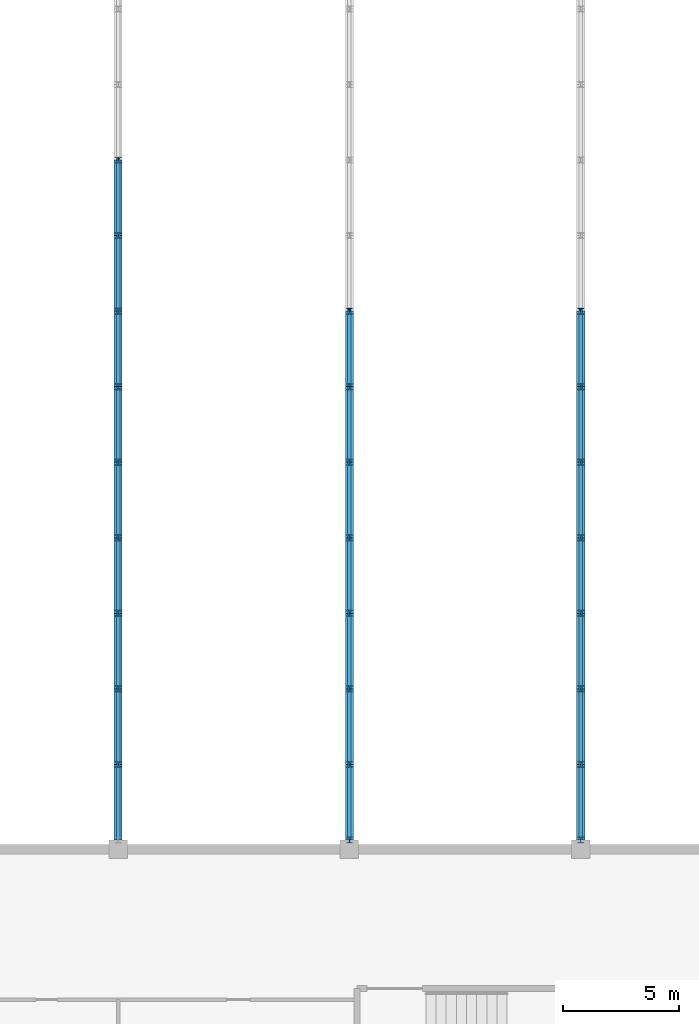
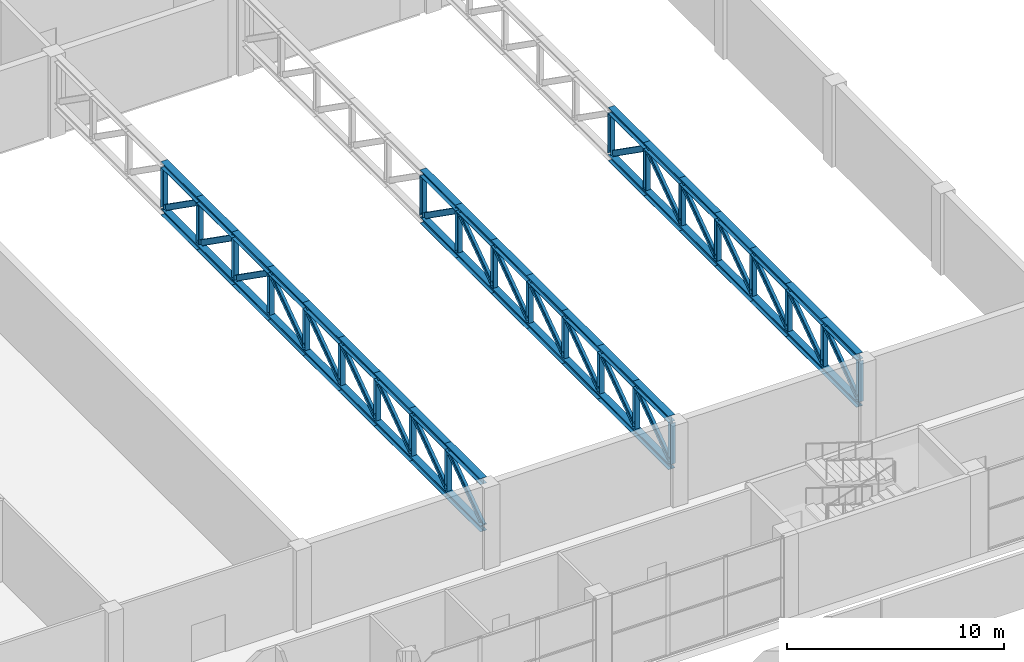
# One storey, part 5 of 36: 94 members.
"""IFC4 building model written with IfcOpenShell, lengths in metres."""

from ifc_helpers import new_model, si_unit, direction, frame, origin, origin_2d, place, context, subcontext, project, spatial, i_section, extrude, material, material_profile, profile_set, type_object, element, save


model = new_model("IFC4")

# Units and contexts
model_context = context("Model", 3, precision=1e-05, world=origin(), true_north=direction((0.0, 1.0)))
body_context = subcontext(model_context, "Body", "Model", "MODEL_VIEW")
ifc_project = project(units=[si_unit("LENGTHUNIT", "METRE"), si_unit("AREAUNIT", "SQUARE_METRE"), si_unit("VOLUMEUNIT", "CUBIC_METRE"), si_unit("PLANEANGLEUNIT", "RADIAN"), si_unit("MASSUNIT", "GRAM", prefix="KILO")], contexts=[model_context])

# Site, building, storey
site_placement = place(None, origin())
site = spatial("IfcSite", under=ifc_project, at=site_placement, CompositionType="ELEMENT")
building_placement = place(site_placement, origin())
building = spatial("IfcBuilding", under=site, at=building_placement, Name="Jabali Bay Hotel Tower and Convention Centre", CompositionType="ELEMENT")
storey_placement = place(building_placement, frame((0.0, 0.0, 20.39990234375)))
storey = spatial("IfcBuildingStorey", under=building, at=storey_placement, Name="L03", CompositionType="ELEMENT", Elevation=20.39990234375)

# Members
ifc_material = material(Name="Steel Q355B", Category="steel")
ifc_material_profile_1 = material_profile(ifc_material, i_section(OverallWidth=0.35009765625, OverallDepth=0.35009765625, WebThickness=0.011962890625, FlangeThickness=0.01904296875, at=origin_2d()), Name="HW350x350x12x19")
ifc_profile_set_1 = profile_set([ifc_material_profile_1], Name="Steel Q355B")
member_type_1 = type_object("IfcMemberType", Name="CC Roof Truss Chord HW350x350x12x19", PredefinedType="CHORD", material=ifc_profile_set_1)
for number, where, z_axis, x_axis, name in (
    (1, (190.699951171875, 60.39990234375, 4.4150390625), (0.0, 1.0, 0.0), (-1.0, 0.0, 0.0), "CC roof truss B1 top chord 1"),
    (2, (190.699951171875, 60.39990234375, 1.76513671875), (0.0, 1.0, 0.0), (-1.0, 0.0, 0.0), "CC roof truss B1 bottom chord 1"),
):
    element("IfcMember", number, at=place(storey_placement, frame(where, z_axis=z_axis, x_axis=x_axis)), inside=storey, type_object=member_type_1, Name=name, PredefinedType="CHORD", context=body_context, shape_type="SweptSolid", body=[
        extrude(i_section(OverallWidth=0.35009765625, OverallDepth=0.35009765625, WebThickness=0.011962890625, FlangeThickness=0.01904296875, at=origin_2d()), origin(), (0.0, 0.0, 1.0), 3.266845703125),
    ])
for number, where, z_axis, x_axis, name in (
    (3, (190.699951171875, 63.666748046875, 4.4150390625), (0.0, 1.0, 0.0), (-1.0, 0.0, 0.0), "CC roof truss B1 top chord 2"),
    (4, (190.699951171875, 63.666748046875, 1.76513671875), (0.0, 1.0, 0.0), (-1.0, 0.0, 0.0), "CC roof truss B1 bottom chord 2"),
    (5, (190.699951171875, 66.933349609375, 4.4150390625), (0.0, 1.0, 0.0), (-1.0, 0.0, 0.0), "CC roof truss B1 top chord 3"),
    (6, (190.699951171875, 66.933349609375, 1.76513671875), (0.0, 1.0, 0.0), (-1.0, 0.0, 0.0), "CC roof truss B1 bottom chord 3"),
    (7, (190.699951171875, 70.199951171875, 4.4150390625), (0.0, 1.0, 0.0), (-1.0, 0.0, 0.0), "CC roof truss B1 top chord 4"),
    (8, (190.699951171875, 70.199951171875, 1.76513671875), (0.0, 1.0, 0.0), (-1.0, 0.0, 0.0), "CC roof truss B1 bottom chord 4"),
):
    element("IfcMember", number, at=place(storey_placement, frame(where, z_axis=z_axis, x_axis=x_axis)), inside=storey, type_object=member_type_1, Name=name, PredefinedType="CHORD", context=body_context, shape_type="SweptSolid", body=[
        extrude(i_section(OverallWidth=0.35009765625, OverallDepth=0.35009765625, WebThickness=0.011962890625, FlangeThickness=0.01904296875, at=origin_2d()), origin(), (0.0, 0.0, 1.0), 3.2666015625),
    ])
for number, where, z_axis, x_axis, name in (
    (9, (190.699951171875, 73.466552734375, 4.4150390625), (0.0, 1.0, 0.0), (-1.0, 0.0, 0.0), "CC roof truss B1 top chord 5"),
    (10, (190.699951171875, 73.466552734375, 1.76513671875), (0.0, 1.0, 0.0), (-1.0, 0.0, 0.0), "CC roof truss B1 bottom chord 5"),
):
    element("IfcMember", number, at=place(storey_placement, frame(where, z_axis=z_axis, x_axis=x_axis)), inside=storey, type_object=member_type_1, Name=name, PredefinedType="CHORD", context=body_context, shape_type="SweptSolid", body=[
        extrude(i_section(OverallWidth=0.35009765625, OverallDepth=0.35009765625, WebThickness=0.011962890625, FlangeThickness=0.01904296875, at=origin_2d()), origin(), (0.0, 0.0, 1.0), 3.266845703125),
    ])
for number, where, z_axis, x_axis, name in (
    (11, (190.699951171875, 76.7333984375, 4.4150390625), (0.0, 1.0, 0.0), (-1.0, 0.0, 0.0), "CC roof truss B1 top chord 6"),
    (12, (190.699951171875, 76.7333984375, 1.76513671875), (0.0, 1.0, 0.0), (-1.0, 0.0, 0.0), "CC roof truss B1 bottom chord 6"),
    (13, (190.699951171875, 80.0, 4.4150390625), (0.0, 1.0, 0.0), (-1.0, 0.0, 0.0), "CC roof truss B1 top chord 7"),
    (14, (190.699951171875, 80.0, 1.76513671875), (0.0, 1.0, 0.0), (-1.0, 0.0, 0.0), "CC roof truss B1 bottom chord 7"),
):
    element("IfcMember", number, at=place(storey_placement, frame(where, z_axis=z_axis, x_axis=x_axis)), inside=storey, type_object=member_type_1, Name=name, PredefinedType="CHORD", context=body_context, shape_type="SweptSolid", body=[
        extrude(i_section(OverallWidth=0.35009765625, OverallDepth=0.35009765625, WebThickness=0.011962890625, FlangeThickness=0.01904296875, at=origin_2d()), origin(), (0.0, 0.0, 1.0), 3.2666015625),
    ])
for number, where, z_axis, x_axis, name in (
    (15, (190.699951171875, 83.2666015625, 4.4150390625), (0.0, 1.0, 0.0), (-1.0, 0.0, 0.0), "CC roof truss B1 top chord 8"),
    (16, (190.699951171875, 83.2666015625, 1.76513671875), (0.0, 1.0, 0.0), (-1.0, 0.0, 0.0), "CC roof truss B1 bottom chord 8"),
):
    element("IfcMember", number, at=place(storey_placement, frame(where, z_axis=z_axis, x_axis=x_axis)), inside=storey, type_object=member_type_1, Name=name, PredefinedType="CHORD", context=body_context, shape_type="SweptSolid", body=[
        extrude(i_section(OverallWidth=0.35009765625, OverallDepth=0.35009765625, WebThickness=0.011962890625, FlangeThickness=0.01904296875, at=origin_2d()), origin(), (0.0, 0.0, 1.0), 3.266845703125),
    ])
for number, where, z_axis, x_axis, name in (
    (17, (190.699951171875, 86.533447265625, 4.4150390625), (0.0, 1.0, 0.0), (-1.0, 0.0, 0.0), "CC roof truss B1 top chord 9"),
    (18, (190.699951171875, 86.533447265625, 1.76513671875), (0.0, 1.0, 0.0), (-1.0, 0.0, 0.0), "CC roof truss B1 bottom chord 9"),
):
    element("IfcMember", number, at=place(storey_placement, frame(where, z_axis=z_axis, x_axis=x_axis)), inside=storey, type_object=member_type_1, Name=name, PredefinedType="CHORD", context=body_context, shape_type="SweptSolid", body=[
        extrude(i_section(OverallWidth=0.35009765625, OverallDepth=0.35009765625, WebThickness=0.011962890625, FlangeThickness=0.01904296875, at=origin_2d()), origin(), (0.0, 0.0, 1.0), 3.2666015625),
    ])
for number, where, z_axis, x_axis, name in (
    (19, (200.699951171875, 60.39990234375, 4.4150390625), (0.0, 1.0, 0.0), (-1.0, 0.0, 0.0), "CC roof truss B2 top chord 1"),
    (20, (200.699951171875, 60.39990234375, 1.76513671875), (0.0, 1.0, 0.0), (-1.0, 0.0, 0.0), "CC roof truss B2 bottom chord 1"),
):
    element("IfcMember", number, at=place(storey_placement, frame(where, z_axis=z_axis, x_axis=x_axis)), inside=storey, type_object=member_type_1, Name=name, PredefinedType="CHORD", context=body_context, shape_type="SweptSolid", body=[
        extrude(i_section(OverallWidth=0.35009765625, OverallDepth=0.35009765625, WebThickness=0.011962890625, FlangeThickness=0.01904296875, at=origin_2d()), origin(), (0.0, 0.0, 1.0), 3.266845703125),
    ])
for number, where, z_axis, x_axis, name in (
    (21, (200.699951171875, 63.666748046875, 4.4150390625), (0.0, 1.0, 0.0), (-1.0, 0.0, 0.0), "CC roof truss B2 top chord 2"),
    (22, (200.699951171875, 63.666748046875, 1.76513671875), (0.0, 1.0, 0.0), (-1.0, 0.0, 0.0), "CC roof truss B2 bottom chord 2"),
    (23, (200.699951171875, 66.933349609375, 4.4150390625), (0.0, 1.0, 0.0), (-1.0, 0.0, 0.0), "CC roof truss B2 top chord 3"),
    (24, (200.699951171875, 66.933349609375, 1.76513671875), (0.0, 1.0, 0.0), (-1.0, 0.0, 0.0), "CC roof truss B2 bottom chord 3"),
    (25, (200.699951171875, 70.199951171875, 4.4150390625), (0.0, 1.0, 0.0), (-1.0, 0.0, 0.0), "CC roof truss B2 top chord 4"),
    (26, (200.699951171875, 70.199951171875, 1.76513671875), (0.0, 1.0, 0.0), (-1.0, 0.0, 0.0), "CC roof truss B2 bottom chord 4"),
):
    element("IfcMember", number, at=place(storey_placement, frame(where, z_axis=z_axis, x_axis=x_axis)), inside=storey, type_object=member_type_1, Name=name, PredefinedType="CHORD", context=body_context, shape_type="SweptSolid", body=[
        extrude(i_section(OverallWidth=0.35009765625, OverallDepth=0.35009765625, WebThickness=0.011962890625, FlangeThickness=0.01904296875, at=origin_2d()), origin(), (0.0, 0.0, 1.0), 3.2666015625),
    ])
for number, where, z_axis, x_axis, name in (
    (27, (200.699951171875, 73.466552734375, 4.4150390625), (0.0, 1.0, 0.0), (-1.0, 0.0, 0.0), "CC roof truss B2 top chord 5"),
    (28, (200.699951171875, 73.466552734375, 1.76513671875), (0.0, 1.0, 0.0), (-1.0, 0.0, 0.0), "CC roof truss B2 bottom chord 5"),
):
    element("IfcMember", number, at=place(storey_placement, frame(where, z_axis=z_axis, x_axis=x_axis)), inside=storey, type_object=member_type_1, Name=name, PredefinedType="CHORD", context=body_context, shape_type="SweptSolid", body=[
        extrude(i_section(OverallWidth=0.35009765625, OverallDepth=0.35009765625, WebThickness=0.011962890625, FlangeThickness=0.01904296875, at=origin_2d()), origin(), (0.0, 0.0, 1.0), 3.266845703125),
    ])
for number, where, z_axis, x_axis, name in (
    (29, (200.699951171875, 76.7333984375, 4.4150390625), (0.0, 1.0, 0.0), (-1.0, 0.0, 0.0), "CC roof truss B2 top chord 6"),
    (30, (200.699951171875, 76.7333984375, 1.76513671875), (0.0, 1.0, 0.0), (-1.0, 0.0, 0.0), "CC roof truss B2 bottom chord 6"),
    (31, (200.699951171875, 80.0, 4.4150390625), (0.0, 1.0, 0.0), (-1.0, 0.0, 0.0), "CC roof truss B2 top chord 7"),
    (32, (200.699951171875, 80.0, 1.76513671875), (0.0, 1.0, 0.0), (-1.0, 0.0, 0.0), "CC roof truss B2 bottom chord 7"),
):
    element("IfcMember", number, at=place(storey_placement, frame(where, z_axis=z_axis, x_axis=x_axis)), inside=storey, type_object=member_type_1, Name=name, PredefinedType="CHORD", context=body_context, shape_type="SweptSolid", body=[
        extrude(i_section(OverallWidth=0.35009765625, OverallDepth=0.35009765625, WebThickness=0.011962890625, FlangeThickness=0.01904296875, at=origin_2d()), origin(), (0.0, 0.0, 1.0), 3.2666015625),
    ])
for number, where, z_axis, x_axis, name in (
    (33, (210.699951171875, 60.39990234375, 4.4150390625), (0.0, 1.0, 0.0), (-1.0, 0.0, 0.0), "CC roof truss B3 top chord 1"),
    (34, (210.699951171875, 60.39990234375, 1.76513671875), (0.0, 1.0, 0.0), (-1.0, 0.0, 0.0), "CC roof truss B3 bottom chord 1"),
):
    element("IfcMember", number, at=place(storey_placement, frame(where, z_axis=z_axis, x_axis=x_axis)), inside=storey, type_object=member_type_1, Name=name, PredefinedType="CHORD", context=body_context, shape_type="SweptSolid", body=[
        extrude(i_section(OverallWidth=0.35009765625, OverallDepth=0.35009765625, WebThickness=0.011962890625, FlangeThickness=0.01904296875, at=origin_2d()), origin(), (0.0, 0.0, 1.0), 3.266845703125),
    ])
for number, where, z_axis, x_axis, name in (
    (35, (210.699951171875, 63.666748046875, 4.4150390625), (0.0, 1.0, 0.0), (-1.0, 0.0, 0.0), "CC roof truss B3 top chord 2"),
    (36, (210.699951171875, 63.666748046875, 1.76513671875), (0.0, 1.0, 0.0), (-1.0, 0.0, 0.0), "CC roof truss B3 bottom chord 2"),
    (37, (210.699951171875, 66.933349609375, 4.4150390625), (0.0, 1.0, 0.0), (-1.0, 0.0, 0.0), "CC roof truss B3 top chord 3"),
    (38, (210.699951171875, 66.933349609375, 1.76513671875), (0.0, 1.0, 0.0), (-1.0, 0.0, 0.0), "CC roof truss B3 bottom chord 3"),
    (39, (210.699951171875, 70.199951171875, 4.4150390625), (0.0, 1.0, 0.0), (-1.0, 0.0, 0.0), "CC roof truss B3 top chord 4"),
    (40, (210.699951171875, 70.199951171875, 1.76513671875), (0.0, 1.0, 0.0), (-1.0, 0.0, 0.0), "CC roof truss B3 bottom chord 4"),
):
    element("IfcMember", number, at=place(storey_placement, frame(where, z_axis=z_axis, x_axis=x_axis)), inside=storey, type_object=member_type_1, Name=name, PredefinedType="CHORD", context=body_context, shape_type="SweptSolid", body=[
        extrude(i_section(OverallWidth=0.35009765625, OverallDepth=0.35009765625, WebThickness=0.011962890625, FlangeThickness=0.01904296875, at=origin_2d()), origin(), (0.0, 0.0, 1.0), 3.2666015625),
    ])
for number, where, z_axis, x_axis, name in (
    (41, (210.699951171875, 73.466552734375, 4.4150390625), (0.0, 1.0, 0.0), (-1.0, 0.0, 0.0), "CC roof truss B3 top chord 5"),
    (42, (210.699951171875, 73.466552734375, 1.76513671875), (0.0, 1.0, 0.0), (-1.0, 0.0, 0.0), "CC roof truss B3 bottom chord 5"),
):
    element("IfcMember", number, at=place(storey_placement, frame(where, z_axis=z_axis, x_axis=x_axis)), inside=storey, type_object=member_type_1, Name=name, PredefinedType="CHORD", context=body_context, shape_type="SweptSolid", body=[
        extrude(i_section(OverallWidth=0.35009765625, OverallDepth=0.35009765625, WebThickness=0.011962890625, FlangeThickness=0.01904296875, at=origin_2d()), origin(), (0.0, 0.0, 1.0), 3.266845703125),
    ])
for number, where, z_axis, x_axis, name in (
    (43, (210.699951171875, 76.7333984375, 4.4150390625), (0.0, 1.0, 0.0), (-1.0, 0.0, 0.0), "CC roof truss B3 top chord 6"),
    (44, (210.699951171875, 76.7333984375, 1.76513671875), (0.0, 1.0, 0.0), (-1.0, 0.0, 0.0), "CC roof truss B3 bottom chord 6"),
    (45, (210.699951171875, 80.0, 4.4150390625), (0.0, 1.0, 0.0), (-1.0, 0.0, 0.0), "CC roof truss B3 top chord 7"),
    (46, (210.699951171875, 80.0, 1.76513671875), (0.0, 1.0, 0.0), (-1.0, 0.0, 0.0), "CC roof truss B3 bottom chord 7"),
):
    element("IfcMember", number, at=place(storey_placement, frame(where, z_axis=z_axis, x_axis=x_axis)), inside=storey, type_object=member_type_1, Name=name, PredefinedType="CHORD", context=body_context, shape_type="SweptSolid", body=[
        extrude(i_section(OverallWidth=0.35009765625, OverallDepth=0.35009765625, WebThickness=0.011962890625, FlangeThickness=0.01904296875, at=origin_2d()), origin(), (0.0, 0.0, 1.0), 3.2666015625),
    ])
ifc_material_profile_2 = material_profile(ifc_material, i_section(OverallWidth=0.14990234375, OverallDepth=0.300048828125, WebThickness=0.006591796875, FlangeThickness=0.009033203125, at=origin_2d()), Name="HN300x150x6.5x9")
ifc_profile_set_2 = profile_set([ifc_material_profile_2], Name="Steel Q355B")
member_type_2 = type_object("IfcMemberType", Name="CC Roof Truss Diagonal HN300x150x6.5x9", PredefinedType="BRACE", material=ifc_profile_set_2)
member_1_placement = place(storey_placement, frame((190.699951171875, 60.39990234375, 1.940185546875), z_axis=(0.0, 0.817698819626, 0.575646280612), x_axis=(-1.0, 0.0, 0.0)))
element("IfcMember", 47, at=member_1_placement, inside=storey, type_object=member_type_2, Name="CC roof truss B1 diagonal 1", PredefinedType="BRACE", context=body_context, shape_type="SweptSolid", body=[
    extrude(i_section(OverallWidth=0.14990234375, OverallDepth=0.300048828125, WebThickness=0.006591796875, FlangeThickness=0.009033203125, at=origin_2d()), origin(), (0.0, 0.0, 1.0), 3.9951171875),
])
for number, where, z_axis, x_axis, name in (
    (48, (190.699951171875, 63.666748046875, 1.940185546875), (0.0, 0.817678568519, 0.575675045998), (-1.0, 0.0, 0.0), "CC roof truss B1 diagonal 2"),
    (49, (190.699951171875, 66.933349609375, 1.940185546875), (0.0, 0.817678568519, 0.575675045998), (-1.0, 0.0, 0.0), "CC roof truss B1 diagonal 3"),
    (50, (190.699951171875, 70.199951171875, 1.940185546875), (0.0, 0.817678568519, 0.575675045998), (-1.0, 0.0, 0.0), "CC roof truss B1 diagonal 4"),
):
    element("IfcMember", number, at=place(storey_placement, frame(where, z_axis=z_axis, x_axis=x_axis)), inside=storey, type_object=member_type_2, Name=name, PredefinedType="BRACE", context=body_context, shape_type="SweptSolid", body=[
        extrude(i_section(OverallWidth=0.14990234375, OverallDepth=0.300048828125, WebThickness=0.006591796875, FlangeThickness=0.009033203125, at=origin_2d()), origin(), (0.0, 0.0, 1.0), 3.994873046875),
    ])
member_2_placement = place(storey_placement, frame((190.699951171875, 73.466552734375, 1.940185546875), z_axis=(0.0, 0.817698819626, 0.575646280612), x_axis=(-1.0, 0.0, 0.0)))
element("IfcMember", 51, at=member_2_placement, inside=storey, type_object=member_type_2, Name="CC roof truss B1 diagonal 5", PredefinedType="BRACE", context=body_context, shape_type="SweptSolid", body=[
    extrude(i_section(OverallWidth=0.14990234375, OverallDepth=0.300048828125, WebThickness=0.006591796875, FlangeThickness=0.009033203125, at=origin_2d()), origin(), (0.0, 0.0, 1.0), 3.9951171875),
])
for number, where, z_axis, x_axis, name in (
    (52, (190.699951171875, 76.7333984375, 1.940185546875), (0.0, 0.817678568519, 0.575675045998), (-1.0, 0.0, 0.0), "CC roof truss B1 diagonal 6"),
    (53, (190.699951171875, 83.2666015625, 1.940185546875), (0.0, -0.817678568519, 0.575675045998), (1.0, 0.0, 0.0), "CC roof truss B1 diagonal 7"),
):
    element("IfcMember", number, at=place(storey_placement, frame(where, z_axis=z_axis, x_axis=x_axis)), inside=storey, type_object=member_type_2, Name=name, PredefinedType="BRACE", context=body_context, shape_type="SweptSolid", body=[
        extrude(i_section(OverallWidth=0.14990234375, OverallDepth=0.300048828125, WebThickness=0.006591796875, FlangeThickness=0.009033203125, at=origin_2d()), origin(), (0.0, 0.0, 1.0), 3.994873046875),
    ])
member_3_placement = place(storey_placement, frame((190.699951171875, 86.533447265625, 1.940185546875), z_axis=(0.0, -0.817698819626, 0.575646280612), x_axis=(1.0, 0.0, 0.0)))
element("IfcMember", 54, at=member_3_placement, inside=storey, type_object=member_type_2, Name="CC roof truss B1 diagonal 8", PredefinedType="BRACE", context=body_context, shape_type="SweptSolid", body=[
    extrude(i_section(OverallWidth=0.14990234375, OverallDepth=0.300048828125, WebThickness=0.006591796875, FlangeThickness=0.009033203125, at=origin_2d()), origin(), (0.0, 0.0, 1.0), 3.9951171875),
])
member_4_placement = place(storey_placement, frame((190.699951171875, 89.800048828125, 1.940185546875), z_axis=(0.0, -0.817678568519, 0.575675045998), x_axis=(1.0, 0.0, 0.0)))
element("IfcMember", 55, at=member_4_placement, inside=storey, type_object=member_type_2, Name="CC roof truss B1 diagonal 9", PredefinedType="BRACE", context=body_context, shape_type="SweptSolid", body=[
    extrude(i_section(OverallWidth=0.14990234375, OverallDepth=0.300048828125, WebThickness=0.006591796875, FlangeThickness=0.009033203125, at=origin_2d()), origin(), (0.0, 0.0, 1.0), 3.994873046875),
])
member_5_placement = place(storey_placement, frame((200.699951171875, 60.39990234375, 1.940185546875), z_axis=(0.0, 0.817698819626, 0.575646280612), x_axis=(-1.0, 0.0, 0.0)))
element("IfcMember", 56, at=member_5_placement, inside=storey, type_object=member_type_2, Name="CC roof truss B2 diagonal 1", PredefinedType="BRACE", context=body_context, shape_type="SweptSolid", body=[
    extrude(i_section(OverallWidth=0.14990234375, OverallDepth=0.300048828125, WebThickness=0.006591796875, FlangeThickness=0.009033203125, at=origin_2d()), origin(), (0.0, 0.0, 1.0), 3.9951171875),
])
for number, where, z_axis, x_axis, name in (
    (57, (200.699951171875, 63.666748046875, 1.940185546875), (0.0, 0.817678568519, 0.575675045998), (-1.0, 0.0, 0.0), "CC roof truss B2 diagonal 2"),
    (58, (200.699951171875, 66.933349609375, 1.940185546875), (0.0, 0.817678568519, 0.575675045998), (-1.0, 0.0, 0.0), "CC roof truss B2 diagonal 3"),
    (59, (200.699951171875, 70.199951171875, 1.940185546875), (0.0, 0.817678568519, 0.575675045998), (-1.0, 0.0, 0.0), "CC roof truss B2 diagonal 4"),
):
    element("IfcMember", number, at=place(storey_placement, frame(where, z_axis=z_axis, x_axis=x_axis)), inside=storey, type_object=member_type_2, Name=name, PredefinedType="BRACE", context=body_context, shape_type="SweptSolid", body=[
        extrude(i_section(OverallWidth=0.14990234375, OverallDepth=0.300048828125, WebThickness=0.006591796875, FlangeThickness=0.009033203125, at=origin_2d()), origin(), (0.0, 0.0, 1.0), 3.994873046875),
    ])
member_6_placement = place(storey_placement, frame((200.699951171875, 73.466552734375, 1.940185546875), z_axis=(0.0, 0.817698819626, 0.575646280612), x_axis=(-1.0, 0.0, 0.0)))
element("IfcMember", 60, at=member_6_placement, inside=storey, type_object=member_type_2, Name="CC roof truss B2 diagonal 5", PredefinedType="BRACE", context=body_context, shape_type="SweptSolid", body=[
    extrude(i_section(OverallWidth=0.14990234375, OverallDepth=0.300048828125, WebThickness=0.006591796875, FlangeThickness=0.009033203125, at=origin_2d()), origin(), (0.0, 0.0, 1.0), 3.9951171875),
])
for number, where, z_axis, x_axis, name in (
    (61, (200.699951171875, 76.7333984375, 1.940185546875), (0.0, 0.817678568519, 0.575675045998), (-1.0, 0.0, 0.0), "CC roof truss B2 diagonal 6"),
    (62, (200.699951171875, 83.2666015625, 1.940185546875), (0.0, -0.817678568519, 0.575675045998), (1.0, 0.0, 0.0), "CC roof truss B2 diagonal 7"),
):
    element("IfcMember", number, at=place(storey_placement, frame(where, z_axis=z_axis, x_axis=x_axis)), inside=storey, type_object=member_type_2, Name=name, PredefinedType="BRACE", context=body_context, shape_type="SweptSolid", body=[
        extrude(i_section(OverallWidth=0.14990234375, OverallDepth=0.300048828125, WebThickness=0.006591796875, FlangeThickness=0.009033203125, at=origin_2d()), origin(), (0.0, 0.0, 1.0), 3.994873046875),
    ])
member_7_placement = place(storey_placement, frame((210.699951171875, 60.39990234375, 1.940185546875), z_axis=(0.0, 0.817698819626, 0.575646280612), x_axis=(-1.0, 0.0, 0.0)))
element("IfcMember", 63, at=member_7_placement, inside=storey, type_object=member_type_2, Name="CC roof truss B3 diagonal 1", PredefinedType="BRACE", context=body_context, shape_type="SweptSolid", body=[
    extrude(i_section(OverallWidth=0.14990234375, OverallDepth=0.300048828125, WebThickness=0.006591796875, FlangeThickness=0.009033203125, at=origin_2d()), origin(), (0.0, 0.0, 1.0), 3.9951171875),
])
for number, where, z_axis, x_axis, name in (
    (64, (210.699951171875, 63.666748046875, 1.940185546875), (0.0, 0.817678568519, 0.575675045998), (-1.0, 0.0, 0.0), "CC roof truss B3 diagonal 2"),
    (65, (210.699951171875, 66.933349609375, 1.940185546875), (0.0, 0.817678568519, 0.575675045998), (-1.0, 0.0, 0.0), "CC roof truss B3 diagonal 3"),
    (66, (210.699951171875, 70.199951171875, 1.940185546875), (0.0, 0.817678568519, 0.575675045998), (-1.0, 0.0, 0.0), "CC roof truss B3 diagonal 4"),
):
    element("IfcMember", number, at=place(storey_placement, frame(where, z_axis=z_axis, x_axis=x_axis)), inside=storey, type_object=member_type_2, Name=name, PredefinedType="BRACE", context=body_context, shape_type="SweptSolid", body=[
        extrude(i_section(OverallWidth=0.14990234375, OverallDepth=0.300048828125, WebThickness=0.006591796875, FlangeThickness=0.009033203125, at=origin_2d()), origin(), (0.0, 0.0, 1.0), 3.994873046875),
    ])
member_8_placement = place(storey_placement, frame((210.699951171875, 73.466552734375, 1.940185546875), z_axis=(0.0, 0.817698819626, 0.575646280612), x_axis=(-1.0, 0.0, 0.0)))
element("IfcMember", 67, at=member_8_placement, inside=storey, type_object=member_type_2, Name="CC roof truss B3 diagonal 5", PredefinedType="BRACE", context=body_context, shape_type="SweptSolid", body=[
    extrude(i_section(OverallWidth=0.14990234375, OverallDepth=0.300048828125, WebThickness=0.006591796875, FlangeThickness=0.009033203125, at=origin_2d()), origin(), (0.0, 0.0, 1.0), 3.9951171875),
])
for number, where, z_axis, x_axis, name in (
    (68, (210.699951171875, 76.7333984375, 1.940185546875), (0.0, 0.817678568519, 0.575675045998), (-1.0, 0.0, 0.0), "CC roof truss B3 diagonal 6"),
    (69, (210.699951171875, 83.2666015625, 1.940185546875), (0.0, -0.817678568519, 0.575675045998), (1.0, 0.0, 0.0), "CC roof truss B3 diagonal 7"),
):
    element("IfcMember", number, at=place(storey_placement, frame(where, z_axis=z_axis, x_axis=x_axis)), inside=storey, type_object=member_type_2, Name=name, PredefinedType="BRACE", context=body_context, shape_type="SweptSolid", body=[
        extrude(i_section(OverallWidth=0.14990234375, OverallDepth=0.300048828125, WebThickness=0.006591796875, FlangeThickness=0.009033203125, at=origin_2d()), origin(), (0.0, 0.0, 1.0), 3.994873046875),
    ])
ifc_material_profile_3 = material_profile(ifc_material, i_section(OverallWidth=0.25, OverallDepth=0.25, WebThickness=0.009033203125, FlangeThickness=0.013916015625, at=origin_2d()), Name="HW250x250x9x14")
ifc_profile_set_3 = profile_set([ifc_material_profile_3], Name="Steel Q355B")
member_type_3 = type_object("IfcMemberType", Name="CC Roof Truss Post HW250x250x9x14", PredefinedType="POST", material=ifc_profile_set_3)
for number, where, z_axis, x_axis, name in (
    (70, (190.699951171875, 63.666748046875, 1.940185546875), (0.0, 0.0, 1.0), (1.0, 0.0, 0.0), "CC roof truss B1 post 2"),
    (71, (190.699951171875, 66.933349609375, 1.940185546875), (0.0, 0.0, 1.0), (1.0, 0.0, 0.0), "CC roof truss B1 post 3"),
    (72, (190.699951171875, 70.199951171875, 1.940185546875), (0.0, 0.0, 1.0), (1.0, 0.0, 0.0), "CC roof truss B1 post 4"),
    (73, (190.699951171875, 73.466552734375, 1.940185546875), (0.0, 0.0, 1.0), (1.0, 0.0, 0.0), "CC roof truss B1 post 5"),
    (74, (190.699951171875, 76.7333984375, 1.940185546875), (0.0, 0.0, 1.0), (1.0, 0.0, 0.0), "CC roof truss B1 post 6"),
    (75, (190.699951171875, 80.0, 1.940185546875), (0.0, 0.0, 1.0), (1.0, 0.0, 0.0), "CC roof truss B1 post 7"),
    (76, (190.699951171875, 83.2666015625, 1.940185546875), (0.0, 0.0, 1.0), (1.0, 0.0, 0.0), "CC roof truss B1 post 8"),
    (77, (190.699951171875, 86.533447265625, 1.940185546875), (0.0, 0.0, 1.0), (1.0, 0.0, 0.0), "CC roof truss B1 post 9"),
    (78, (190.699951171875, 89.800048828125, 1.940185546875), (0.0, 0.0, 1.0), (1.0, 0.0, 0.0), "CC roof truss B1 post 10"),
    (79, (200.699951171875, 60.39990234375, 1.940185546875), (0.0, 0.0, 1.0), (1.0, 0.0, 0.0), "CC roof truss B2 post 1"),
    (80, (200.699951171875, 63.666748046875, 1.940185546875), (0.0, 0.0, 1.0), (1.0, 0.0, 0.0), "CC roof truss B2 post 2"),
    (81, (200.699951171875, 66.933349609375, 1.940185546875), (0.0, 0.0, 1.0), (1.0, 0.0, 0.0), "CC roof truss B2 post 3"),
    (82, (200.699951171875, 70.199951171875, 1.940185546875), (0.0, 0.0, 1.0), (1.0, 0.0, 0.0), "CC roof truss B2 post 4"),
    (83, (200.699951171875, 73.466552734375, 1.940185546875), (0.0, 0.0, 1.0), (1.0, 0.0, 0.0), "CC roof truss B2 post 5"),
    (84, (200.699951171875, 76.7333984375, 1.940185546875), (0.0, 0.0, 1.0), (1.0, 0.0, 0.0), "CC roof truss B2 post 6"),
    (85, (200.699951171875, 80.0, 1.940185546875), (0.0, 0.0, 1.0), (1.0, 0.0, 0.0), "CC roof truss B2 post 7"),
    (86, (200.699951171875, 83.2666015625, 1.940185546875), (0.0, 0.0, 1.0), (1.0, 0.0, 0.0), "CC roof truss B2 post 8"),
    (87, (210.699951171875, 60.39990234375, 1.940185546875), (0.0, 0.0, 1.0), (1.0, 0.0, 0.0), "CC roof truss B3 post 1"),
    (88, (210.699951171875, 63.666748046875, 1.940185546875), (0.0, 0.0, 1.0), (1.0, 0.0, 0.0), "CC roof truss B3 post 2"),
    (89, (210.699951171875, 66.933349609375, 1.940185546875), (0.0, 0.0, 1.0), (1.0, 0.0, 0.0), "CC roof truss B3 post 3"),
    (90, (210.699951171875, 70.199951171875, 1.940185546875), (0.0, 0.0, 1.0), (1.0, 0.0, 0.0), "CC roof truss B3 post 4"),
    (91, (210.699951171875, 73.466552734375, 1.940185546875), (0.0, 0.0, 1.0), (1.0, 0.0, 0.0), "CC roof truss B3 post 5"),
    (92, (210.699951171875, 76.7333984375, 1.940185546875), (0.0, 0.0, 1.0), (1.0, 0.0, 0.0), "CC roof truss B3 post 6"),
    (93, (210.699951171875, 80.0, 1.940185546875), (0.0, 0.0, 1.0), (1.0, 0.0, 0.0), "CC roof truss B3 post 7"),
    (94, (210.699951171875, 83.2666015625, 1.940185546875), (0.0, 0.0, 1.0), (1.0, 0.0, 0.0), "CC roof truss B3 post 8"),
):
    element("IfcMember", number, at=place(storey_placement, frame(where, z_axis=z_axis, x_axis=x_axis)), inside=storey, type_object=member_type_3, Name=name, PredefinedType="POST", context=body_context, shape_type="SweptSolid", body=[
        extrude(i_section(OverallWidth=0.25, OverallDepth=0.25, WebThickness=0.009033203125, FlangeThickness=0.013916015625, at=origin_2d()), origin(), (0.0, 0.0, 1.0), 2.2998046875),
    ])

save(model, "model.ifc")
